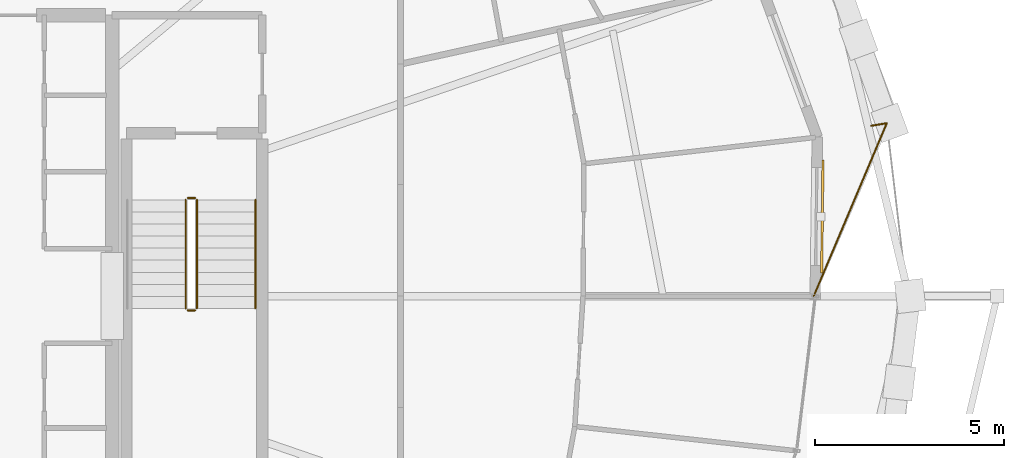
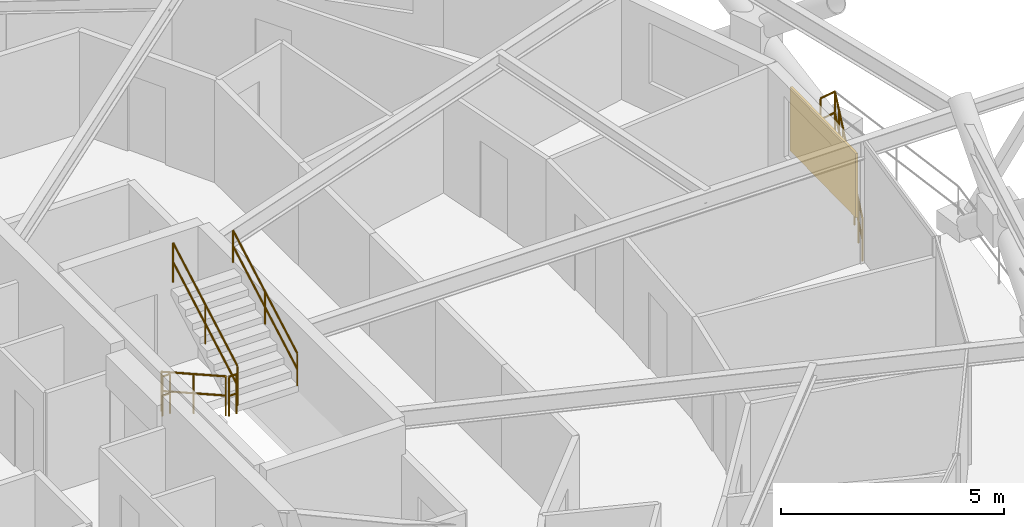
# One storey, part 22 of 22: 6 railings, 1 shading device.
"""IFC4 building model written with IfcOpenShell, lengths in metres."""

from ifc_helpers import new_model, si_unit, direction, frame, origin, origin_2d, place, context, subcontext, project, spatial, rectangle, circle, extrude, material, layer, layer_set, type_object, element, save


model = new_model("IFC4")

# Units and contexts
model_context = context("Model", 3, precision=1e-05, world=origin(), true_north=direction((0.0, 1.0)))
body_context = subcontext(model_context, "Body", "Model", "MODEL_VIEW")
ifc_project = project(units=[si_unit("LENGTHUNIT", "METRE"), si_unit("AREAUNIT", "SQUARE_METRE"), si_unit("VOLUMEUNIT", "CUBIC_METRE"), si_unit("PLANEANGLEUNIT", "RADIAN"), si_unit("MASSUNIT", "GRAM", prefix="KILO")], contexts=[model_context])

# Site, building, storey
site_placement = place(None, origin())
site = spatial("IfcSite", under=ifc_project, at=site_placement, CompositionType="ELEMENT")
building_placement = place(site_placement, origin())
building = spatial("IfcBuilding", under=site, at=building_placement, Name="Veldorina Hangang Commons", CompositionType="ELEMENT")
storey_placement = place(building_placement, frame((0.0, 0.0, 146.0)))
storey = spatial("IfcBuildingStorey", under=building, at=storey_placement, Name="L37", CompositionType="ELEMENT", Elevation=146.0)

# Railings
ifc_material_1 = material(Name="Glass Laminated Safety Balustrade", Category="glass")
railing_type_1 = type_object("IfcRailingType", Name="RL-BAL-LOGGIA", PredefinedType="BALUSTRADE", material=ifc_material_1)
railing_1_placement = place(storey_placement, frame((59.33203125, 28.5146484375, 0.0)))
element("IfcRailing", 1, at=railing_1_placement, inside=storey, type_object=railing_type_1, Name="L37 sky-garden loggia end balustrade B", PredefinedType="BALUSTRADE", context=body_context, shape_type="SweptSolid", body=[
    extrude(circle(Radius=0.02392578125, at=origin_2d()), frame((0.0, 0.0, 1.17578125), z_axis=(0.986581716619, 0.163268234611, 0.0), x_axis=(-0.163268234611, 0.986581716619, 0.0)), (0.0, 0.0, 1.0), 0.420166015625),
    extrude(circle(Radius=0.02392578125, at=origin_2d()), frame((0.0, 0.0, 0.60009765625), z_axis=(0.986581716619, 0.163268234611, 0.0), x_axis=(-0.163268234611, 0.986581716619, 0.0)), (0.0, 0.0, 1.0), 0.420166015625),
    extrude(circle(Radius=0.02392578125, at=origin_2d()), frame((0.41455078125, 0.068603515625, 1.17578125), z_axis=(-0.389122881112, -0.92118585714, 0.0), x_axis=(0.92118585714, -0.389122881112, 0.0)), (0.0, 0.0, 1.0), 4.975341796875),
    extrude(circle(Radius=0.02392578125, at=origin_2d()), frame((0.41455078125, 0.068603515625, 0.60009765625), z_axis=(-0.389122881112, -0.92118585714, 0.0), x_axis=(0.92118585714, -0.389122881112, 0.0)), (0.0, 0.0, 1.0), 4.975341796875),
    extrude(circle(Radius=0.02099609375, at=origin_2d()), origin(), (0.0, 0.0, 1.0), 1.15185546875),
    extrude(circle(Radius=0.02099609375, at=origin_2d()), frame((0.41455078125, 0.068603515625, 0.0)), (0.0, 0.0, 1.0), 1.15185546875),
    extrude(circle(Radius=0.02099609375, at=origin_2d()), frame((0.137939453125, -0.586181640625, 0.0)), (0.0, 0.0, 1.0), 1.15185546875),
    extrude(circle(Radius=0.02099609375, at=origin_2d()), frame((-0.138671875, -1.240966796875, 0.0)), (0.0, 0.0, 1.0), 1.15185546875),
    extrude(circle(Radius=0.02099609375, at=origin_2d()), frame((-0.415283203125, -1.895751953125, 0.0)), (0.0, 0.0, 1.0), 1.15185546875),
    extrude(circle(Radius=0.02099609375, at=origin_2d()), frame((-0.691650390625, -2.55029296875, 0.0)), (0.0, 0.0, 1.0), 1.15185546875),
    extrude(circle(Radius=0.02099609375, at=origin_2d()), frame((-0.96826171875, -3.205078125, 0.0)), (0.0, 0.0, 1.0), 1.15185546875),
    extrude(circle(Radius=0.02099609375, at=origin_2d()), frame((-1.244873046875, -3.85986328125, 0.0)), (0.0, 0.0, 1.0), 1.15185546875),
    extrude(circle(Radius=0.02099609375, at=origin_2d()), frame((-1.521484375, -4.5146484375, 0.0)), (0.0, 0.0, 1.0), 1.15185546875),
])
ifc_material_2 = material(Name="Steel Painted Balustrade", Category="steel")
railing_type_2 = type_object("IfcRailingType", Name="RL-GRD-STAIR", PredefinedType="GUARDRAIL", material=ifc_material_2)
railing_2_placement = place(storey_placement, frame((41.14990234375, 26.550048828125, 0.179931640625)))
element("IfcRailing", 2, at=railing_2_placement, inside=storey, type_object=railing_type_2, Name="L37 ST-2 stair guard 1", PredefinedType="GUARDRAIL", context=body_context, shape_type="SweptSolid", body=[
    extrude(circle(Radius=0.02392578125, at=origin_2d()), frame((0.0, 0.0, 1.076171875), z_axis=(0.0, -0.871569617843, 0.490271762652), x_axis=(1.0, 0.0, 0.0)), (0.0, 0.0, 1.0), 3.304443359375),
    extrude(circle(Radius=0.02392578125, at=origin_2d()), frame((0.0, 0.0, 0.550048828125), z_axis=(0.0, -0.871569617843, 0.490271762652), x_axis=(1.0, 0.0, 0.0)), (0.0, 0.0, 1.0), 3.304443359375),
    extrude(circle(Radius=0.02099609375, at=origin_2d()), origin(), (0.0, 0.0, 1.0), 1.052001953125),
    extrude(circle(Radius=0.02099609375, at=origin_2d()), frame((0.0, -1.43994140625, 0.81005859375)), (0.0, 0.0, 1.0), 1.052001953125),
    extrude(circle(Radius=0.02099609375, at=origin_2d()), frame((0.0, -2.880126953125, 1.6201171875)), (0.0, 0.0, 1.0), 1.052001953125),
])
railing_3_placement = place(storey_placement, frame((41.199951171875, 23.6201171875, 1.800048828125)))
element("IfcRailing", 3, at=railing_3_placement, inside=storey, type_object=railing_type_2, Name="L37 ST-2 stair guard 2", PredefinedType="GUARDRAIL", context=body_context, shape_type="SweptSolid", body=[
    extrude(circle(Radius=0.02392578125, at=origin_2d()), frame((0.0, 0.0, 1.076171875), z_axis=(1.0, 0.0, 0.0), x_axis=(0.0, 1.0, 0.0)), (0.0, 0.0, 1.0), 0.199951171875),
    extrude(circle(Radius=0.02392578125, at=origin_2d()), frame((0.0, 0.0, 0.550048828125), z_axis=(1.0, 0.0, 0.0), x_axis=(0.0, 1.0, 0.0)), (0.0, 0.0, 1.0), 0.199951171875),
    extrude(circle(Radius=0.02099609375, at=origin_2d()), origin(), (0.0, 0.0, 1.0), 1.052001953125),
    extrude(circle(Radius=0.02099609375, at=origin_2d()), frame((0.199951171875, 0.0, 0.0)), (0.0, 0.0, 1.0), 1.052001953125),
])
railing_4_placement = place(storey_placement, frame((41.449951171875, 23.669921875, 1.97998046875)))
element("IfcRailing", 4, at=railing_4_placement, inside=storey, type_object=railing_type_2, Name="L37 ST-2 stair guard 3", PredefinedType="GUARDRAIL", context=body_context, shape_type="SweptSolid", body=[
    extrude(circle(Radius=0.02392578125, at=origin_2d()), frame((0.0, 0.0, 1.076171875), z_axis=(0.0, 0.871569617843, 0.490271762652), x_axis=(-1.0, 0.0, 0.0)), (0.0, 0.0, 1.0), 3.304443359375),
    extrude(circle(Radius=0.02392578125, at=origin_2d()), frame((0.0, 0.0, 0.550048828125), z_axis=(0.0, 0.871569617843, 0.490271762652), x_axis=(-1.0, 0.0, 0.0)), (0.0, 0.0, 1.0), 3.304443359375),
    extrude(circle(Radius=0.02099609375, at=origin_2d()), origin(), (0.0, 0.0, 1.0), 1.052001953125),
    extrude(circle(Radius=0.02099609375, at=origin_2d()), frame((0.0, 1.43994140625, 0.81005859375)), (0.0, 0.0, 1.0), 1.052001953125),
    extrude(circle(Radius=0.02099609375, at=origin_2d()), frame((0.0, 2.880126953125, 1.6201171875)), (0.0, 0.0, 1.0), 1.052001953125),
])
railing_5_placement = place(storey_placement, frame((41.199951171875, 26.60009765625, 0.0)))
element("IfcRailing", 5, at=railing_5_placement, inside=storey, type_object=railing_type_2, Name="L37 ST-2 stair guard 4", PredefinedType="GUARDRAIL", context=body_context, shape_type="SweptSolid", body=[
    extrude(circle(Radius=0.02392578125, at=origin_2d()), frame((0.0, 0.0, 1.076171875), z_axis=(1.0, 0.0, 0.0), x_axis=(0.0, 1.0, 0.0)), (0.0, 0.0, 1.0), 0.199951171875),
    extrude(circle(Radius=0.02392578125, at=origin_2d()), frame((0.0, 0.0, 0.550048828125), z_axis=(1.0, 0.0, 0.0), x_axis=(0.0, 1.0, 0.0)), (0.0, 0.0, 1.0), 0.199951171875),
    extrude(circle(Radius=0.02099609375, at=origin_2d()), origin(), (0.0, 0.0, 1.0), 1.052001953125),
    extrude(circle(Radius=0.02099609375, at=origin_2d()), frame((0.199951171875, 0.0, 0.0)), (0.0, 0.0, 1.0), 1.052001953125),
])
ifc_material_3 = material(Name="Stainless Steel Brushed 316", Category="steel")
railing_type_3 = type_object("IfcRailingType", Name="RL-HND-STAIR", PredefinedType="HANDRAIL", material=ifc_material_3)
railing_6_placement = place(storey_placement, frame((43.0, 23.669921875, 1.97998046875)))
element("IfcRailing", 6, at=railing_6_placement, inside=storey, type_object=railing_type_3, Name="L37 ST-2 stair handrail 2", PredefinedType="HANDRAIL", context=body_context, shape_type="SweptSolid", body=[
    extrude(circle(Radius=0.02392578125, at=origin_2d()), frame((0.0, 0.0, 0.8759765625), z_axis=(0.0, 0.871569617843, 0.490271762652), x_axis=(-1.0, 0.0, 0.0)), (0.0, 0.0, 1.0), 3.304443359375),
    extrude(circle(Radius=0.02392578125, at=origin_2d()), frame((0.0, 0.0, 0.449951171875), z_axis=(0.0, 0.871569617843, 0.490271762652), x_axis=(-1.0, 0.0, 0.0)), (0.0, 0.0, 1.0), 3.304443359375),
    extrude(circle(Radius=0.02099609375, at=origin_2d()), origin(), (0.0, 0.0, 1.0), 0.851806640625),
    extrude(circle(Radius=0.02099609375, at=origin_2d()), frame((0.0, 1.43994140625, 0.81005859375)), (0.0, 0.0, 1.0), 0.851806640625),
    extrude(circle(Radius=0.02099609375, at=origin_2d()), frame((0.0, 2.880126953125, 1.6201171875)), (0.0, 0.0, 1.0), 0.851806640625),
])

# Shading device
ifc_material_4 = material(Name="Ceramic Glazed Terracotta", Category="masonry")
ifc_layer = layer(ifc_material_4, 0.06005859375)
ifc_layer_set = layer_set([ifc_layer], Name="Ceramic Glazed Terracotta")
shading_device_type = type_object("IfcShadingDeviceType", Name="SCR-CER-3000", PredefinedType="USERDEFINED", material=ifc_layer_set)
shading_device_placement = place(storey_placement, frame((58.03662109375, 26.10498046875, 0.75), z_axis=(0.0, 0.0, 1.0), x_axis=(0.012461328328, 0.999922354634, 0.0)))
element("IfcShadingDevice", 7, at=shading_device_placement, inside=storey, type_object=shading_device_type, Name="L37 PERFORATED CERAMIC SOLAR SCREEN 00", ObjectType="SCREEN", PredefinedType="USERDEFINED", context=body_context, shape_type="SweptSolid", body=[
    extrude(rectangle(XDim=3.0, YDim=0.06005859375, at=origin_2d()), origin(), (0.0, 0.0, 1.0), 1.75),
])

save(model, "model.ifc")
